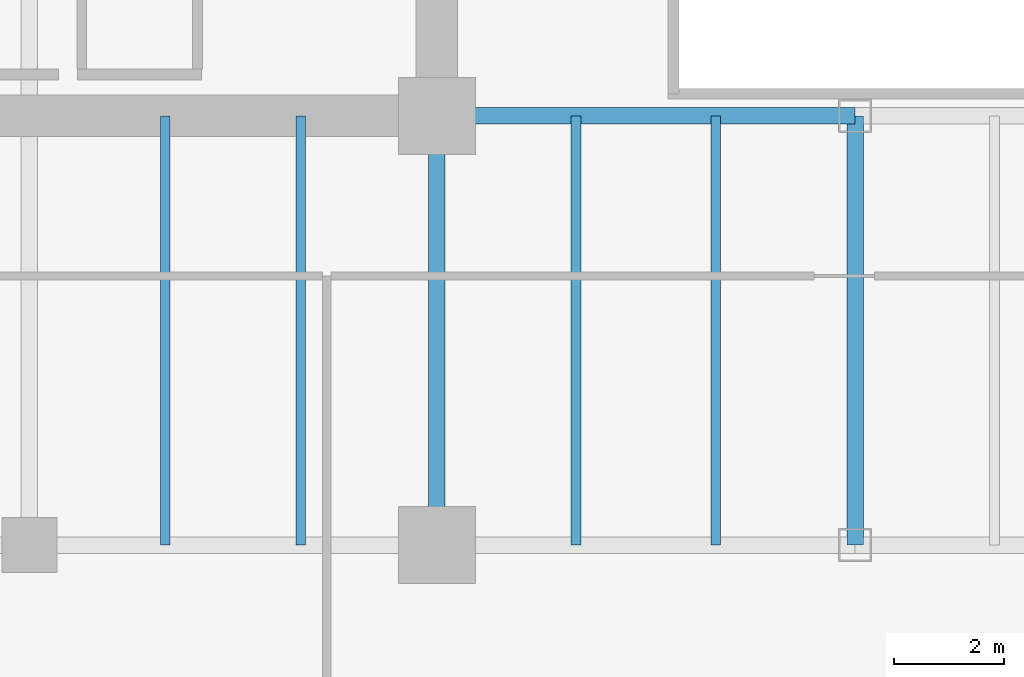
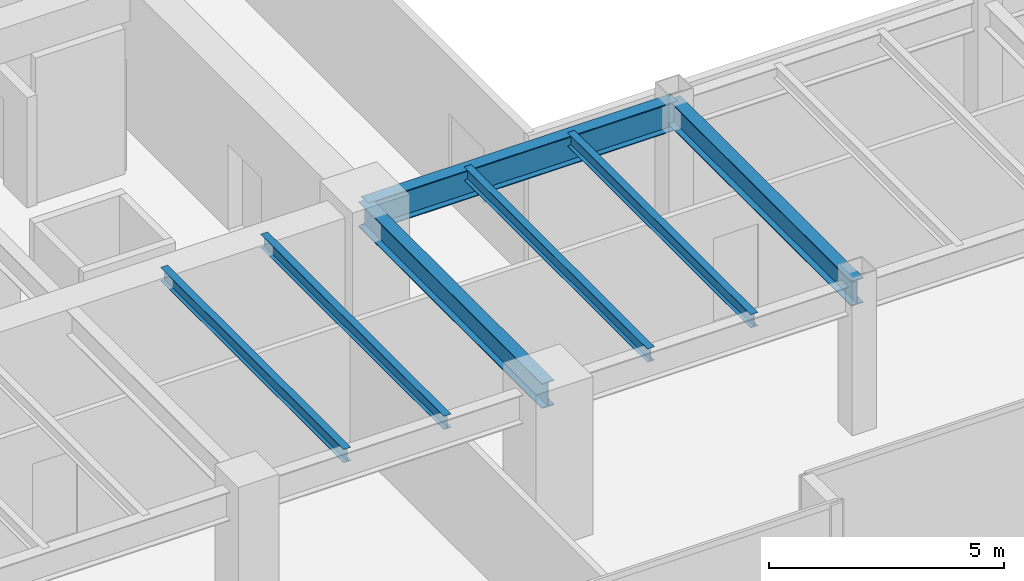
# One storey, part 5 of 35: 7 beams.
"""IFC4 building model written with IfcOpenShell, lengths in metres."""

from ifc_helpers import new_model, si_unit, direction, frame, origin, origin_2d, place, context, subcontext, project, spatial, i_section, extrude, source, transform, mapped, material, material_profile, profile_set, type_object, type_shapes, element, save


model = new_model("IFC4")

# Units and contexts
model_context = context("Model", 3, precision=1e-05, world=origin(), true_north=direction((0.0, 1.0)))
body_context = subcontext(model_context, "Body", "Model", "MODEL_VIEW")
ifc_project = project(units=[si_unit("LENGTHUNIT", "METRE"), si_unit("AREAUNIT", "SQUARE_METRE"), si_unit("VOLUMEUNIT", "CUBIC_METRE"), si_unit("PLANEANGLEUNIT", "RADIAN"), si_unit("MASSUNIT", "GRAM", prefix="KILO")], contexts=[model_context])

# Site, building, storey
site_placement = place(None, origin())
site = spatial("IfcSite", under=ifc_project, at=site_placement, CompositionType="ELEMENT")
building_placement = place(site_placement, origin())
building = spatial("IfcBuilding", under=site, at=building_placement, Name="Haelvirn Gate Laboratories", CompositionType="ELEMENT")
storey_placement = place(building_placement, frame((0.0, 0.0, 66.199951171875)))
storey = spatial("IfcBuildingStorey", under=building, at=storey_placement, Name="L16", CompositionType="ELEMENT", Elevation=66.199951171875)

# Beams
ifc_material = material(Name="Steel SM355", Category="steel")
ifc_material_profile_1 = material_profile(ifc_material, i_section(OverallWidth=0.300048828125, OverallDepth=0.75, WebThickness=0.013916015625, FlangeThickness=0.02392578125, at=origin_2d()), Name="H-750x300x14x24")
ifc_profile_set_1 = profile_set([ifc_material_profile_1], Name="Steel SM355")
beam_type_1 = type_object("IfcBeamType", Name="BM-G-750", PredefinedType="BEAM", material=ifc_profile_set_1)
shared_shape_1 = source(origin(), body_context, "Body", "SweptSolid", [
    extrude(i_section(OverallWidth=0.300048828125, OverallDepth=0.75, WebThickness=0.013916015625, FlangeThickness=0.02392578125, at=origin_2d()), origin(), (0.0, 0.0, 1.0), 7.60009765625),
])
type_shapes(beam_type_1, [shared_shape_1])
beam_placement = place(storey_placement, frame((22.199951171875, 14.800048828125, 3.405029296875), z_axis=(1.0, 0.0, 0.0), x_axis=(0.0, 1.0, 0.0)))
element("IfcBeam", 1, at=beam_placement, inside=storey, type_object=beam_type_1, Name="L16 Primary Girder Y14.8 (22.2-29.8)", PredefinedType="BEAM", context=body_context, shape_type="MappedRepresentation", body=[
    mapped(shared_shape_1, transform((0.0, 0.0, 0.0), scale=1.0)),
])
ifc_material_profile_2 = material_profile(ifc_material, i_section(OverallWidth=0.175048828125, OverallDepth=0.35009765625, WebThickness=0.007080078125, FlangeThickness=0.010986328125, at=origin_2d()), Name="H-350x175x7x11")
ifc_profile_set_2 = profile_set([ifc_material_profile_2], Name="Steel SM355")
beam_type_2 = type_object("IfcBeamType", Name="BM-J-350", PredefinedType="JOIST", material=ifc_profile_set_2)
shared_shape_2 = source(origin(), body_context, "Body", "SweptSolid", [
    extrude(i_section(OverallWidth=0.175048828125, OverallDepth=0.35009765625, WebThickness=0.007080078125, FlangeThickness=0.010986328125, at=origin_2d()), origin(), (0.0, 0.0, 1.0), 7.800048828125),
])
type_shapes(beam_type_2, [shared_shape_2])
for number, where, z_axis, x_axis, name in (
    (2, (17.27001953125, 7.0, 3.60498046875), (0.0, 1.0, 0.0), (-1.0, 0.0, 0.0), "L16 Composite Lab Joist South X17.27"),
    (3, (19.72998046875, 7.0, 3.60498046875), (0.0, 1.0, 0.0), (-1.0, 0.0, 0.0), "L16 Composite Lab Joist South X19.73"),
    (4, (24.72998046875, 7.0, 3.60498046875), (0.0, 1.0, 0.0), (-1.0, 0.0, 0.0), "L16 Composite Lab Joist South X24.73"),
    (5, (27.27001953125, 7.0, 3.60498046875), (0.0, 1.0, 0.0), (-1.0, 0.0, 0.0), "L16 Composite Lab Joist South X27.27"),
):
    element("IfcBeam", number, at=place(storey_placement, frame(where, z_axis=z_axis, x_axis=x_axis)), inside=storey, type_object=beam_type_2, Name=name, PredefinedType="JOIST", context=body_context, shape_type="MappedRepresentation", body=[
        mapped(shared_shape_2, transform((0.0, 0.0, 0.0), scale=1.0)),
    ])
ifc_material_profile_3 = material_profile(ifc_material, i_section(OverallWidth=0.300048828125, OverallDepth=0.64990234375, WebThickness=0.012939453125, FlangeThickness=0.02197265625, at=origin_2d()), Name="H-650x300x13x22")
ifc_profile_set_3 = profile_set([ifc_material_profile_3], Name="Steel SM355")
beam_type_3 = type_object("IfcBeamType", Name="BM-G-650", PredefinedType="BEAM", material=ifc_profile_set_3)
shared_shape_3 = source(origin(), body_context, "Body", "SweptSolid", [
    extrude(i_section(OverallWidth=0.300048828125, OverallDepth=0.64990234375, WebThickness=0.012939453125, FlangeThickness=0.02197265625, at=origin_2d()), origin(), (0.0, 0.0, 1.0), 7.800048828125),
])
type_shapes(beam_type_3, [shared_shape_3])
for number, where, z_axis, x_axis, name in (
    (6, (22.199951171875, 7.0, 3.455078125), (0.0, 1.0, 0.0), (-1.0, 0.0, 0.0), "L16 Frame Girder X22.2 (7.0-14.8)"),
    (7, (29.800048828125, 7.0, 3.455078125), (0.0, 1.0, 0.0), (-1.0, 0.0, 0.0), "L16 Frame Girder X29.8 (7.0-14.8)"),
):
    element("IfcBeam", number, at=place(storey_placement, frame(where, z_axis=z_axis, x_axis=x_axis)), inside=storey, type_object=beam_type_3, Name=name, PredefinedType="BEAM", context=body_context, shape_type="MappedRepresentation", body=[
        mapped(shared_shape_3, transform((0.0, 0.0, 0.0), scale=1.0)),
    ])

save(model, "model.ifc")
